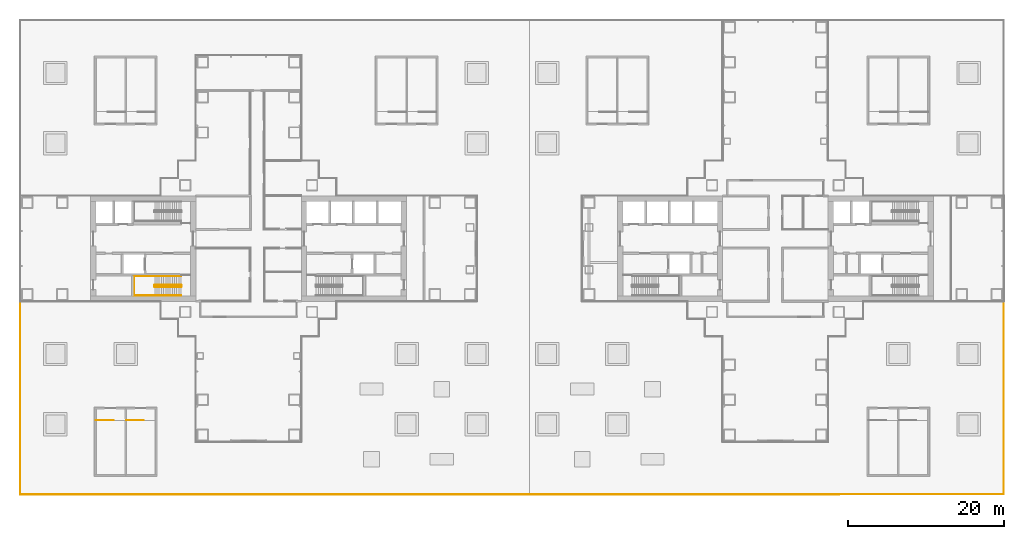
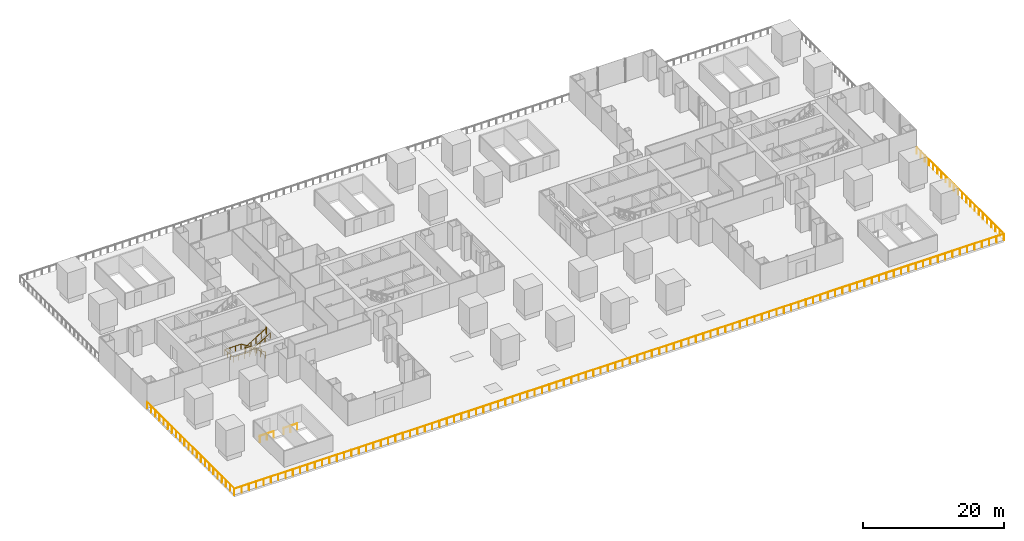
# One storey, part 20 of 23: 5 railings.
"""IFC4 building model written with IfcOpenShell, lengths in metres."""

from ifc_helpers import new_model, si_unit, direction, frame, origin, origin_2d, place, context, subcontext, project, spatial, circle, extrude, material, type_object, element, save


model = new_model("IFC4")

# Units and contexts
model_context = context("Model", 3, precision=1e-05, world=origin(), true_north=direction((0.0, 1.0)))
body_context = subcontext(model_context, "Body", "Model", "MODEL_VIEW")
ifc_project = project(units=[si_unit("LENGTHUNIT", "METRE"), si_unit("AREAUNIT", "SQUARE_METRE"), si_unit("VOLUMEUNIT", "CUBIC_METRE"), si_unit("PLANEANGLEUNIT", "RADIAN"), si_unit("MASSUNIT", "GRAM", prefix="KILO")], contexts=[model_context])

# Site, building, storey
site_placement = place(None, origin())
site = spatial("IfcSite", under=ifc_project, at=site_placement, CompositionType="ELEMENT")
building_placement = place(site_placement, origin())
building = spatial("IfcBuilding", under=site, at=building_placement, Name="Shamsa Quay Exchange Towers", CompositionType="ELEMENT")
storey_placement = place(building_placement, frame((0.0, 0.0, 28.5)))
storey = spatial("IfcBuildingStorey", under=building, at=storey_placement, Name="L05", CompositionType="ELEMENT", Elevation=28.5)

# Railings
ifc_material_1 = material(Name="Steel S355, black powder-coated", Category="steel")
railing_type_1 = type_object("IfcRailingType", Name="DECK GUARD 1100", PredefinedType="GUARDRAIL", material=ifc_material_1)
railing_1_placement = place(storey_placement, frame((-63.0, -6.77001953125, 0.0)))
element("IfcRailing", 1, at=railing_1_placement, inside=storey, type_object=railing_type_1, Name="Deck guard 1.2", PredefinedType="GUARDRAIL", context=body_context, shape_type="SweptSolid", body=[
    extrude(circle(Radius=0.02392578125, at=origin_2d()), frame((0.0, 0.0, 1.076171875), z_axis=(0.0, -1.0, 0.0), x_axis=(1.0, 0.0, 0.0)), (0.0, 0.0, 1.0), 24.72998046875),
    extrude(circle(Radius=0.02392578125, at=origin_2d()), frame((0.0, -24.72998046875, 1.076171875), z_axis=(1.0, 0.0, 0.0), x_axis=(0.0, 1.0, 0.0)), (0.0, 0.0, 1.0), 126.0),
    extrude(circle(Radius=0.02392578125, at=origin_2d()), frame((126.0, -24.72998046875, 1.076171875), z_axis=(0.0, 1.0, 0.0), x_axis=(-1.0, 0.0, 0.0)), (0.0, 0.0, 1.0), 24.72998046875),
    extrude(circle(Radius=0.02099609375, at=origin_2d()), origin(), (0.0, 0.0, 1.0), 1.052001953125),
    extrude(circle(Radius=0.02099609375, at=origin_2d()), frame((0.0, -1.177734375, 0.0)), (0.0, 0.0, 1.0), 1.052001953125),
    extrude(circle(Radius=0.02099609375, at=origin_2d()), frame((0.0, -2.355224609375, 0.0)), (0.0, 0.0, 1.0), 1.052001953125),
    extrude(circle(Radius=0.02099609375, at=origin_2d()), frame((0.0, -3.532958984375, 0.0)), (0.0, 0.0, 1.0), 1.052001953125),
    extrude(circle(Radius=0.02099609375, at=origin_2d()), frame((0.0, -4.71044921875, 0.0)), (0.0, 0.0, 1.0), 1.052001953125),
    extrude(circle(Radius=0.02099609375, at=origin_2d()), frame((0.0, -5.88818359375, 0.0)), (0.0, 0.0, 1.0), 1.052001953125),
    extrude(circle(Radius=0.02099609375, at=origin_2d()), frame((0.0, -7.065673828125, 0.0)), (0.0, 0.0, 1.0), 1.052001953125),
    extrude(circle(Radius=0.02099609375, at=origin_2d()), frame((0.0, -8.243408203125, 0.0)), (0.0, 0.0, 1.0), 1.052001953125),
    extrude(circle(Radius=0.02099609375, at=origin_2d()), frame((0.0, -9.4208984375, 0.0)), (0.0, 0.0, 1.0), 1.052001953125),
    extrude(circle(Radius=0.02099609375, at=origin_2d()), frame((0.0, -10.5986328125, 0.0)), (0.0, 0.0, 1.0), 1.052001953125),
    extrude(circle(Radius=0.02099609375, at=origin_2d()), frame((0.0, -11.776123046875, 0.0)), (0.0, 0.0, 1.0), 1.052001953125),
    extrude(circle(Radius=0.02099609375, at=origin_2d()), frame((0.0, -12.953857421875, 0.0)), (0.0, 0.0, 1.0), 1.052001953125),
    extrude(circle(Radius=0.02099609375, at=origin_2d()), frame((0.0, -14.13134765625, 0.0)), (0.0, 0.0, 1.0), 1.052001953125),
    extrude(circle(Radius=0.02099609375, at=origin_2d()), frame((0.0, -15.30908203125, 0.0)), (0.0, 0.0, 1.0), 1.052001953125),
    extrude(circle(Radius=0.02099609375, at=origin_2d()), frame((0.0, -16.486572265625, 0.0)), (0.0, 0.0, 1.0), 1.052001953125),
    extrude(circle(Radius=0.02099609375, at=origin_2d()), frame((0.0, -17.664306640625, 0.0)), (0.0, 0.0, 1.0), 1.052001953125),
    extrude(circle(Radius=0.02099609375, at=origin_2d()), frame((0.0, -18.841796875, 0.0)), (0.0, 0.0, 1.0), 1.052001953125),
    extrude(circle(Radius=0.02099609375, at=origin_2d()), frame((0.0, -20.01953125, 0.0)), (0.0, 0.0, 1.0), 1.052001953125),
    extrude(circle(Radius=0.02099609375, at=origin_2d()), frame((0.0, -21.197021484375, 0.0)), (0.0, 0.0, 1.0), 1.052001953125),
    extrude(circle(Radius=0.02099609375, at=origin_2d()), frame((0.0, -22.374755859375, 0.0)), (0.0, 0.0, 1.0), 1.052001953125),
    extrude(circle(Radius=0.02099609375, at=origin_2d()), frame((0.0, -23.55224609375, 0.0)), (0.0, 0.0, 1.0), 1.052001953125),
    extrude(circle(Radius=0.02099609375, at=origin_2d()), frame((0.0, -24.72998046875, 0.0)), (0.0, 0.0, 1.0), 1.052001953125),
    extrude(circle(Radius=0.02099609375, at=origin_2d()), frame((1.199951171875, -24.72998046875, 0.0)), (0.0, 0.0, 1.0), 1.052001953125),
    extrude(circle(Radius=0.02099609375, at=origin_2d()), frame((2.39990234375, -24.72998046875, 0.0)), (0.0, 0.0, 1.0), 1.052001953125),
    extrude(circle(Radius=0.02099609375, at=origin_2d()), frame((3.60009765625, -24.72998046875, 0.0)), (0.0, 0.0, 1.0), 1.052001953125),
    extrude(circle(Radius=0.02099609375, at=origin_2d()), frame((4.800048828125, -24.72998046875, 0.0)), (0.0, 0.0, 1.0), 1.052001953125),
    extrude(circle(Radius=0.02099609375, at=origin_2d()), frame((6.0, -24.72998046875, 0.0)), (0.0, 0.0, 1.0), 1.052001953125),
    extrude(circle(Radius=0.02099609375, at=origin_2d()), frame((7.199951171875, -24.72998046875, 0.0)), (0.0, 0.0, 1.0), 1.052001953125),
    extrude(circle(Radius=0.02099609375, at=origin_2d()), frame((8.39990234375, -24.72998046875, 0.0)), (0.0, 0.0, 1.0), 1.052001953125),
    extrude(circle(Radius=0.02099609375, at=origin_2d()), frame((9.60009765625, -24.72998046875, 0.0)), (0.0, 0.0, 1.0), 1.052001953125),
    extrude(circle(Radius=0.02099609375, at=origin_2d()), frame((10.800048828125, -24.72998046875, 0.0)), (0.0, 0.0, 1.0), 1.052001953125),
    extrude(circle(Radius=0.02099609375, at=origin_2d()), frame((12.0, -24.72998046875, 0.0)), (0.0, 0.0, 1.0), 1.052001953125),
    extrude(circle(Radius=0.02099609375, at=origin_2d()), frame((13.199951171875, -24.72998046875, 0.0)), (0.0, 0.0, 1.0), 1.052001953125),
    extrude(circle(Radius=0.02099609375, at=origin_2d()), frame((14.39990234375, -24.72998046875, 0.0)), (0.0, 0.0, 1.0), 1.052001953125),
    extrude(circle(Radius=0.02099609375, at=origin_2d()), frame((15.60009765625, -24.72998046875, 0.0)), (0.0, 0.0, 1.0), 1.052001953125),
    extrude(circle(Radius=0.02099609375, at=origin_2d()), frame((16.800048828125, -24.72998046875, 0.0)), (0.0, 0.0, 1.0), 1.052001953125),
    extrude(circle(Radius=0.02099609375, at=origin_2d()), frame((18.0, -24.72998046875, 0.0)), (0.0, 0.0, 1.0), 1.052001953125),
    extrude(circle(Radius=0.02099609375, at=origin_2d()), frame((19.199951171875, -24.72998046875, 0.0)), (0.0, 0.0, 1.0), 1.052001953125),
    extrude(circle(Radius=0.02099609375, at=origin_2d()), frame((20.39990234375, -24.72998046875, 0.0)), (0.0, 0.0, 1.0), 1.052001953125),
    extrude(circle(Radius=0.02099609375, at=origin_2d()), frame((21.60009765625, -24.72998046875, 0.0)), (0.0, 0.0, 1.0), 1.052001953125),
    extrude(circle(Radius=0.02099609375, at=origin_2d()), frame((22.800048828125, -24.72998046875, 0.0)), (0.0, 0.0, 1.0), 1.052001953125),
    extrude(circle(Radius=0.02099609375, at=origin_2d()), frame((24.0, -24.72998046875, 0.0)), (0.0, 0.0, 1.0), 1.052001953125),
    extrude(circle(Radius=0.02099609375, at=origin_2d()), frame((25.199951171875, -24.72998046875, 0.0)), (0.0, 0.0, 1.0), 1.052001953125),
    extrude(circle(Radius=0.02099609375, at=origin_2d()), frame((26.39990234375, -24.72998046875, 0.0)), (0.0, 0.0, 1.0), 1.052001953125),
    extrude(circle(Radius=0.02099609375, at=origin_2d()), frame((27.60009765625, -24.72998046875, 0.0)), (0.0, 0.0, 1.0), 1.052001953125),
    extrude(circle(Radius=0.02099609375, at=origin_2d()), frame((28.800048828125, -24.72998046875, 0.0)), (0.0, 0.0, 1.0), 1.052001953125),
    extrude(circle(Radius=0.02099609375, at=origin_2d()), frame((30.0, -24.72998046875, 0.0)), (0.0, 0.0, 1.0), 1.052001953125),
    extrude(circle(Radius=0.02099609375, at=origin_2d()), frame((31.199951171875, -24.72998046875, 0.0)), (0.0, 0.0, 1.0), 1.052001953125),
    extrude(circle(Radius=0.02099609375, at=origin_2d()), frame((32.39990234375, -24.72998046875, 0.0)), (0.0, 0.0, 1.0), 1.052001953125),
    extrude(circle(Radius=0.02099609375, at=origin_2d()), frame((33.60009765625, -24.72998046875, 0.0)), (0.0, 0.0, 1.0), 1.052001953125),
    extrude(circle(Radius=0.02099609375, at=origin_2d()), frame((34.800048828125, -24.72998046875, 0.0)), (0.0, 0.0, 1.0), 1.052001953125),
    extrude(circle(Radius=0.02099609375, at=origin_2d()), frame((36.0, -24.72998046875, 0.0)), (0.0, 0.0, 1.0), 1.052001953125),
    extrude(circle(Radius=0.02099609375, at=origin_2d()), frame((37.199951171875, -24.72998046875, 0.0)), (0.0, 0.0, 1.0), 1.052001953125),
    extrude(circle(Radius=0.02099609375, at=origin_2d()), frame((38.39990234375, -24.72998046875, 0.0)), (0.0, 0.0, 1.0), 1.052001953125),
    extrude(circle(Radius=0.02099609375, at=origin_2d()), frame((39.60009765625, -24.72998046875, 0.0)), (0.0, 0.0, 1.0), 1.052001953125),
    extrude(circle(Radius=0.02099609375, at=origin_2d()), frame((40.800048828125, -24.72998046875, 0.0)), (0.0, 0.0, 1.0), 1.052001953125),
    extrude(circle(Radius=0.02099609375, at=origin_2d()), frame((42.0, -24.72998046875, 0.0)), (0.0, 0.0, 1.0), 1.052001953125),
    extrude(circle(Radius=0.02099609375, at=origin_2d()), frame((43.199951171875, -24.72998046875, 0.0)), (0.0, 0.0, 1.0), 1.052001953125),
    extrude(circle(Radius=0.02099609375, at=origin_2d()), frame((44.39990234375, -24.72998046875, 0.0)), (0.0, 0.0, 1.0), 1.052001953125),
    extrude(circle(Radius=0.02099609375, at=origin_2d()), frame((45.60009765625, -24.72998046875, 0.0)), (0.0, 0.0, 1.0), 1.052001953125),
    extrude(circle(Radius=0.02099609375, at=origin_2d()), frame((46.800048828125, -24.72998046875, 0.0)), (0.0, 0.0, 1.0), 1.052001953125),
    extrude(circle(Radius=0.02099609375, at=origin_2d()), frame((48.0, -24.72998046875, 0.0)), (0.0, 0.0, 1.0), 1.052001953125),
    extrude(circle(Radius=0.02099609375, at=origin_2d()), frame((49.199951171875, -24.72998046875, 0.0)), (0.0, 0.0, 1.0), 1.052001953125),
    extrude(circle(Radius=0.02099609375, at=origin_2d()), frame((50.39990234375, -24.72998046875, 0.0)), (0.0, 0.0, 1.0), 1.052001953125),
    extrude(circle(Radius=0.02099609375, at=origin_2d()), frame((51.60009765625, -24.72998046875, 0.0)), (0.0, 0.0, 1.0), 1.052001953125),
    extrude(circle(Radius=0.02099609375, at=origin_2d()), frame((52.800048828125, -24.72998046875, 0.0)), (0.0, 0.0, 1.0), 1.052001953125),
    extrude(circle(Radius=0.02099609375, at=origin_2d()), frame((54.0, -24.72998046875, 0.0)), (0.0, 0.0, 1.0), 1.052001953125),
    extrude(circle(Radius=0.02099609375, at=origin_2d()), frame((55.199951171875, -24.72998046875, 0.0)), (0.0, 0.0, 1.0), 1.052001953125),
    extrude(circle(Radius=0.02099609375, at=origin_2d()), frame((56.39990234375, -24.72998046875, 0.0)), (0.0, 0.0, 1.0), 1.052001953125),
    extrude(circle(Radius=0.02099609375, at=origin_2d()), frame((57.60009765625, -24.72998046875, 0.0)), (0.0, 0.0, 1.0), 1.052001953125),
    extrude(circle(Radius=0.02099609375, at=origin_2d()), frame((58.800048828125, -24.72998046875, 0.0)), (0.0, 0.0, 1.0), 1.052001953125),
    extrude(circle(Radius=0.02099609375, at=origin_2d()), frame((60.0, -24.72998046875, 0.0)), (0.0, 0.0, 1.0), 1.052001953125),
    extrude(circle(Radius=0.02099609375, at=origin_2d()), frame((61.199951171875, -24.72998046875, 0.0)), (0.0, 0.0, 1.0), 1.052001953125),
    extrude(circle(Radius=0.02099609375, at=origin_2d()), frame((62.39990234375, -24.72998046875, 0.0)), (0.0, 0.0, 1.0), 1.052001953125),
    extrude(circle(Radius=0.02099609375, at=origin_2d()), frame((63.60009765625, -24.72998046875, 0.0)), (0.0, 0.0, 1.0), 1.052001953125),
    extrude(circle(Radius=0.02099609375, at=origin_2d()), frame((64.800048828125, -24.72998046875, 0.0)), (0.0, 0.0, 1.0), 1.052001953125),
    extrude(circle(Radius=0.02099609375, at=origin_2d()), frame((66.0, -24.72998046875, 0.0)), (0.0, 0.0, 1.0), 1.052001953125),
    extrude(circle(Radius=0.02099609375, at=origin_2d()), frame((67.199951171875, -24.72998046875, 0.0)), (0.0, 0.0, 1.0), 1.052001953125),
    extrude(circle(Radius=0.02099609375, at=origin_2d()), frame((68.39990234375, -24.72998046875, 0.0)), (0.0, 0.0, 1.0), 1.052001953125),
    extrude(circle(Radius=0.02099609375, at=origin_2d()), frame((69.60009765625, -24.72998046875, 0.0)), (0.0, 0.0, 1.0), 1.052001953125),
    extrude(circle(Radius=0.02099609375, at=origin_2d()), frame((70.800048828125, -24.72998046875, 0.0)), (0.0, 0.0, 1.0), 1.052001953125),
    extrude(circle(Radius=0.02099609375, at=origin_2d()), frame((72.0, -24.72998046875, 0.0)), (0.0, 0.0, 1.0), 1.052001953125),
    extrude(circle(Radius=0.02099609375, at=origin_2d()), frame((73.199951171875, -24.72998046875, 0.0)), (0.0, 0.0, 1.0), 1.052001953125),
    extrude(circle(Radius=0.02099609375, at=origin_2d()), frame((74.39990234375, -24.72998046875, 0.0)), (0.0, 0.0, 1.0), 1.052001953125),
    extrude(circle(Radius=0.02099609375, at=origin_2d()), frame((75.60009765625, -24.72998046875, 0.0)), (0.0, 0.0, 1.0), 1.052001953125),
    extrude(circle(Radius=0.02099609375, at=origin_2d()), frame((76.800048828125, -24.72998046875, 0.0)), (0.0, 0.0, 1.0), 1.052001953125),
    extrude(circle(Radius=0.02099609375, at=origin_2d()), frame((78.0, -24.72998046875, 0.0)), (0.0, 0.0, 1.0), 1.052001953125),
    extrude(circle(Radius=0.02099609375, at=origin_2d()), frame((79.199951171875, -24.72998046875, 0.0)), (0.0, 0.0, 1.0), 1.052001953125),
    extrude(circle(Radius=0.02099609375, at=origin_2d()), frame((80.39990234375, -24.72998046875, 0.0)), (0.0, 0.0, 1.0), 1.052001953125),
    extrude(circle(Radius=0.02099609375, at=origin_2d()), frame((81.60009765625, -24.72998046875, 0.0)), (0.0, 0.0, 1.0), 1.052001953125),
    extrude(circle(Radius=0.02099609375, at=origin_2d()), frame((82.800048828125, -24.72998046875, 0.0)), (0.0, 0.0, 1.0), 1.052001953125),
    extrude(circle(Radius=0.02099609375, at=origin_2d()), frame((84.0, -24.72998046875, 0.0)), (0.0, 0.0, 1.0), 1.052001953125),
    extrude(circle(Radius=0.02099609375, at=origin_2d()), frame((85.199951171875, -24.72998046875, 0.0)), (0.0, 0.0, 1.0), 1.052001953125),
    extrude(circle(Radius=0.02099609375, at=origin_2d()), frame((86.39990234375, -24.72998046875, 0.0)), (0.0, 0.0, 1.0), 1.052001953125),
    extrude(circle(Radius=0.02099609375, at=origin_2d()), frame((87.60009765625, -24.72998046875, 0.0)), (0.0, 0.0, 1.0), 1.052001953125),
    extrude(circle(Radius=0.02099609375, at=origin_2d()), frame((88.800048828125, -24.72998046875, 0.0)), (0.0, 0.0, 1.0), 1.052001953125),
    extrude(circle(Radius=0.02099609375, at=origin_2d()), frame((90.0, -24.72998046875, 0.0)), (0.0, 0.0, 1.0), 1.052001953125),
    extrude(circle(Radius=0.02099609375, at=origin_2d()), frame((91.199951171875, -24.72998046875, 0.0)), (0.0, 0.0, 1.0), 1.052001953125),
    extrude(circle(Radius=0.02099609375, at=origin_2d()), frame((92.39990234375, -24.72998046875, 0.0)), (0.0, 0.0, 1.0), 1.052001953125),
    extrude(circle(Radius=0.02099609375, at=origin_2d()), frame((93.60009765625, -24.72998046875, 0.0)), (0.0, 0.0, 1.0), 1.052001953125),
    extrude(circle(Radius=0.02099609375, at=origin_2d()), frame((94.800048828125, -24.72998046875, 0.0)), (0.0, 0.0, 1.0), 1.052001953125),
    extrude(circle(Radius=0.02099609375, at=origin_2d()), frame((96.0, -24.72998046875, 0.0)), (0.0, 0.0, 1.0), 1.052001953125),
    extrude(circle(Radius=0.02099609375, at=origin_2d()), frame((97.199951171875, -24.72998046875, 0.0)), (0.0, 0.0, 1.0), 1.052001953125),
    extrude(circle(Radius=0.02099609375, at=origin_2d()), frame((98.39990234375, -24.72998046875, 0.0)), (0.0, 0.0, 1.0), 1.052001953125),
    extrude(circle(Radius=0.02099609375, at=origin_2d()), frame((99.60009765625, -24.72998046875, 0.0)), (0.0, 0.0, 1.0), 1.052001953125),
    extrude(circle(Radius=0.02099609375, at=origin_2d()), frame((100.800048828125, -24.72998046875, 0.0)), (0.0, 0.0, 1.0), 1.052001953125),
    extrude(circle(Radius=0.02099609375, at=origin_2d()), frame((102.0, -24.72998046875, 0.0)), (0.0, 0.0, 1.0), 1.052001953125),
    extrude(circle(Radius=0.02099609375, at=origin_2d()), frame((103.199951171875, -24.72998046875, 0.0)), (0.0, 0.0, 1.0), 1.052001953125),
    extrude(circle(Radius=0.02099609375, at=origin_2d()), frame((104.39990234375, -24.72998046875, 0.0)), (0.0, 0.0, 1.0), 1.052001953125),
    extrude(circle(Radius=0.02099609375, at=origin_2d()), frame((105.60009765625, -24.72998046875, 0.0)), (0.0, 0.0, 1.0), 1.052001953125),
    extrude(circle(Radius=0.02099609375, at=origin_2d()), frame((106.800048828125, -24.72998046875, 0.0)), (0.0, 0.0, 1.0), 1.052001953125),
    extrude(circle(Radius=0.02099609375, at=origin_2d()), frame((108.0, -24.72998046875, 0.0)), (0.0, 0.0, 1.0), 1.052001953125),
    extrude(circle(Radius=0.02099609375, at=origin_2d()), frame((109.199951171875, -24.72998046875, 0.0)), (0.0, 0.0, 1.0), 1.052001953125),
    extrude(circle(Radius=0.02099609375, at=origin_2d()), frame((110.39990234375, -24.72998046875, 0.0)), (0.0, 0.0, 1.0), 1.052001953125),
    extrude(circle(Radius=0.02099609375, at=origin_2d()), frame((111.60009765625, -24.72998046875, 0.0)), (0.0, 0.0, 1.0), 1.052001953125),
    extrude(circle(Radius=0.02099609375, at=origin_2d()), frame((112.800048828125, -24.72998046875, 0.0)), (0.0, 0.0, 1.0), 1.052001953125),
    extrude(circle(Radius=0.02099609375, at=origin_2d()), frame((114.0, -24.72998046875, 0.0)), (0.0, 0.0, 1.0), 1.052001953125),
    extrude(circle(Radius=0.02099609375, at=origin_2d()), frame((115.199951171875, -24.72998046875, 0.0)), (0.0, 0.0, 1.0), 1.052001953125),
    extrude(circle(Radius=0.02099609375, at=origin_2d()), frame((116.39990234375, -24.72998046875, 0.0)), (0.0, 0.0, 1.0), 1.052001953125),
    extrude(circle(Radius=0.02099609375, at=origin_2d()), frame((117.60009765625, -24.72998046875, 0.0)), (0.0, 0.0, 1.0), 1.052001953125),
    extrude(circle(Radius=0.02099609375, at=origin_2d()), frame((118.800048828125, -24.72998046875, 0.0)), (0.0, 0.0, 1.0), 1.052001953125),
    extrude(circle(Radius=0.02099609375, at=origin_2d()), frame((120.0, -24.72998046875, 0.0)), (0.0, 0.0, 1.0), 1.052001953125),
    extrude(circle(Radius=0.02099609375, at=origin_2d()), frame((121.199951171875, -24.72998046875, 0.0)), (0.0, 0.0, 1.0), 1.052001953125),
    extrude(circle(Radius=0.02099609375, at=origin_2d()), frame((122.39990234375, -24.72998046875, 0.0)), (0.0, 0.0, 1.0), 1.052001953125),
    extrude(circle(Radius=0.02099609375, at=origin_2d()), frame((123.60009765625, -24.72998046875, 0.0)), (0.0, 0.0, 1.0), 1.052001953125),
    extrude(circle(Radius=0.02099609375, at=origin_2d()), frame((124.800048828125, -24.72998046875, 0.0)), (0.0, 0.0, 1.0), 1.052001953125),
    extrude(circle(Radius=0.02099609375, at=origin_2d()), frame((126.0, -24.72998046875, 0.0)), (0.0, 0.0, 1.0), 1.052001953125),
    extrude(circle(Radius=0.02099609375, at=origin_2d()), frame((126.0, -23.55224609375, 0.0)), (0.0, 0.0, 1.0), 1.052001953125),
    extrude(circle(Radius=0.02099609375, at=origin_2d()), frame((126.0, -22.374755859375, 0.0)), (0.0, 0.0, 1.0), 1.052001953125),
    extrude(circle(Radius=0.02099609375, at=origin_2d()), frame((126.0, -21.197021484375, 0.0)), (0.0, 0.0, 1.0), 1.052001953125),
    extrude(circle(Radius=0.02099609375, at=origin_2d()), frame((126.0, -20.01953125, 0.0)), (0.0, 0.0, 1.0), 1.052001953125),
    extrude(circle(Radius=0.02099609375, at=origin_2d()), frame((126.0, -18.841796875, 0.0)), (0.0, 0.0, 1.0), 1.052001953125),
    extrude(circle(Radius=0.02099609375, at=origin_2d()), frame((126.0, -17.664306640625, 0.0)), (0.0, 0.0, 1.0), 1.052001953125),
    extrude(circle(Radius=0.02099609375, at=origin_2d()), frame((126.0, -16.486572265625, 0.0)), (0.0, 0.0, 1.0), 1.052001953125),
    extrude(circle(Radius=0.02099609375, at=origin_2d()), frame((126.0, -15.30908203125, 0.0)), (0.0, 0.0, 1.0), 1.052001953125),
    extrude(circle(Radius=0.02099609375, at=origin_2d()), frame((126.0, -14.13134765625, 0.0)), (0.0, 0.0, 1.0), 1.052001953125),
    extrude(circle(Radius=0.02099609375, at=origin_2d()), frame((126.0, -12.953857421875, 0.0)), (0.0, 0.0, 1.0), 1.052001953125),
    extrude(circle(Radius=0.02099609375, at=origin_2d()), frame((126.0, -11.776123046875, 0.0)), (0.0, 0.0, 1.0), 1.052001953125),
    extrude(circle(Radius=0.02099609375, at=origin_2d()), frame((126.0, -10.5986328125, 0.0)), (0.0, 0.0, 1.0), 1.052001953125),
    extrude(circle(Radius=0.02099609375, at=origin_2d()), frame((126.0, -9.4208984375, 0.0)), (0.0, 0.0, 1.0), 1.052001953125),
    extrude(circle(Radius=0.02099609375, at=origin_2d()), frame((126.0, -8.243408203125, 0.0)), (0.0, 0.0, 1.0), 1.052001953125),
    extrude(circle(Radius=0.02099609375, at=origin_2d()), frame((126.0, -7.065673828125, 0.0)), (0.0, 0.0, 1.0), 1.052001953125),
    extrude(circle(Radius=0.02099609375, at=origin_2d()), frame((126.0, -5.88818359375, 0.0)), (0.0, 0.0, 1.0), 1.052001953125),
    extrude(circle(Radius=0.02099609375, at=origin_2d()), frame((126.0, -4.71044921875, 0.0)), (0.0, 0.0, 1.0), 1.052001953125),
    extrude(circle(Radius=0.02099609375, at=origin_2d()), frame((126.0, -3.532958984375, 0.0)), (0.0, 0.0, 1.0), 1.052001953125),
    extrude(circle(Radius=0.02099609375, at=origin_2d()), frame((126.0, -2.355224609375, 0.0)), (0.0, 0.0, 1.0), 1.052001953125),
    extrude(circle(Radius=0.02099609375, at=origin_2d()), frame((126.0, -1.177734375, 0.0)), (0.0, 0.0, 1.0), 1.052001953125),
    extrude(circle(Radius=0.02099609375, at=origin_2d()), frame((126.0, 0.0, 0.0)), (0.0, 0.0, 1.0), 1.052001953125),
])
ifc_material_2 = material(Name="Stainless steel", Category="steel")
railing_type_2 = type_object("IfcRailingType", Name="STAIR GUARD 1100", PredefinedType="GUARDRAIL", material=ifc_material_2)
railing_2_placement = place(storey_placement, frame((-42.39990234375, -4.64990234375, 0.173095703125)))
element("IfcRailing", 2, at=railing_2_placement, inside=storey, type_object=railing_type_2, Name="L05 ST2 stair guard 1", PredefinedType="GUARDRAIL", context=body_context, shape_type="SweptSolid", body=[
    extrude(circle(Radius=0.02392578125, at=origin_2d()), frame((0.0, 0.0, 1.076171875), z_axis=(-0.850623216509, 0.0, 0.525775754039), x_axis=(0.0, -1.0, 0.0)), (0.0, 0.0, 1.0), 3.9501953125),
    extrude(circle(Radius=0.02392578125, at=origin_2d()), frame((-3.360107421875, 0.0, 3.15283203125), z_axis=(-0.707106781187, -0.707106781187, 0.0), x_axis=(0.707106781187, -0.707106781187, 0.0)), (0.0, 0.0, 1.0), 0.07080078125),
    extrude(circle(Radius=0.02392578125, at=origin_2d()), frame((-3.41015625, -0.050048828125, 3.15283203125), z_axis=(0.0, -1.0, 0.0), x_axis=(1.0, 0.0, 0.0)), (0.0, 0.0, 1.0), 0.150146484375),
    extrude(circle(Radius=0.02392578125, at=origin_2d()), frame((-3.41015625, -0.2001953125, 3.15283203125), z_axis=(0.267723051232, -0.266417085129, 0.925929967433), x_axis=(0.705375805398, 0.708833529934, 0.0)), (0.0, 0.0, 1.0), 0.18701171875),
    extrude(circle(Radius=0.02392578125, at=origin_2d()), frame((-3.360107421875, -0.25, 3.326171875), z_axis=(0.850623216509, 0.0, 0.525775754039), x_axis=(0.0, 1.0, 0.0)), (0.0, 0.0, 1.0), 3.9501953125),
    extrude(circle(Radius=0.02392578125, at=origin_2d()), frame((0.0, -0.25, 5.40283203125), z_axis=(0.241699205484, 0.970351222016, 0.0), x_axis=(-0.970351222016, 0.241699205484, 0.0)), (0.0, 0.0, 1.0), 0.2060546875),
    extrude(circle(Radius=0.02392578125, at=origin_2d()), frame((0.0498046875, -0.050048828125, 5.40283203125), z_axis=(0.0, -1.0, 0.0), x_axis=(1.0, 0.0, 0.0)), (0.0, 0.0, 1.0), 0.150146484375),
    extrude(circle(Radius=0.02099609375, at=origin_2d()), origin(), (0.0, 0.0, 1.0), 1.052001953125),
    extrude(circle(Radius=0.02099609375, at=origin_2d()), frame((-0.840087890625, 0.0, 0.519287109375)), (0.0, 0.0, 1.0), 1.052001953125),
    extrude(circle(Radius=0.02099609375, at=origin_2d()), frame((-1.68017578125, 0.0, 1.03857421875)), (0.0, 0.0, 1.0), 1.052001953125),
    extrude(circle(Radius=0.02099609375, at=origin_2d()), frame((-2.52001953125, 0.0, 1.5576171875)), (0.0, 0.0, 1.0), 1.052001953125),
    extrude(circle(Radius=0.02099609375, at=origin_2d()), frame((-3.360107421875, 0.0, 2.076904296875)), (0.0, 0.0, 1.0), 1.052001953125),
    extrude(circle(Radius=0.02099609375, at=origin_2d()), frame((-3.41015625, -0.050048828125, 2.076904296875)), (0.0, 0.0, 1.0), 1.052001953125),
    extrude(circle(Radius=0.02099609375, at=origin_2d()), frame((-3.41015625, -0.2001953125, 2.076904296875)), (0.0, 0.0, 1.0), 1.052001953125),
    extrude(circle(Radius=0.02099609375, at=origin_2d()), frame((-3.360107421875, -0.25, 2.25)), (0.0, 0.0, 1.0), 1.052001953125),
    extrude(circle(Radius=0.02099609375, at=origin_2d()), frame((-2.52001953125, -0.25, 2.769287109375)), (0.0, 0.0, 1.0), 1.052001953125),
    extrude(circle(Radius=0.02099609375, at=origin_2d()), frame((-1.68017578125, -0.25, 3.28857421875)), (0.0, 0.0, 1.0), 1.052001953125),
    extrude(circle(Radius=0.02099609375, at=origin_2d()), frame((-0.840087890625, -0.25, 3.8076171875)), (0.0, 0.0, 1.0), 1.052001953125),
    extrude(circle(Radius=0.02099609375, at=origin_2d()), frame((0.0, -0.25, 4.326904296875)), (0.0, 0.0, 1.0), 1.052001953125),
    extrude(circle(Radius=0.02099609375, at=origin_2d()), frame((0.0498046875, -0.050048828125, 4.326904296875)), (0.0, 0.0, 1.0), 1.052001953125),
    extrude(circle(Radius=0.02099609375, at=origin_2d()), frame((0.0498046875, -0.2001953125, 4.326904296875)), (0.0, 0.0, 1.0), 1.052001953125),
])
for number, where, name in (
    (3, (-53.300048828125, -22.0, 0.0), "L05 PS5A top well guard 1"),
    (4, (-49.425048828125, -22.0, 0.0), "L05 PS5B top well guard 1"),
):
    element("IfcRailing", number, at=place(storey_placement, frame(where)), inside=storey, type_object=railing_type_2, Name=name, PredefinedType="GUARDRAIL", context=body_context, shape_type="SweptSolid", body=[
        extrude(circle(Radius=0.02392578125, at=origin_2d()), frame((0.0, 0.0, 1.076171875), z_axis=(1.0, 0.0, 0.0), x_axis=(0.0, 1.0, 0.0)), (0.0, 0.0, 1.0), 2.22509765625),
        extrude(circle(Radius=0.02099609375, at=origin_2d()), origin(), (0.0, 0.0, 1.0), 1.052001953125),
        extrude(circle(Radius=0.02099609375, at=origin_2d()), frame((1.112548828125, 0.0, 0.0)), (0.0, 0.0, 1.0), 1.052001953125),
        extrude(circle(Radius=0.02099609375, at=origin_2d()), frame((2.22509765625, 0.0, 0.0)), (0.0, 0.0, 1.0), 1.052001953125),
    ])
railing_type_3 = type_object("IfcRailingType", Name="STAIR HANDRAIL 900", PredefinedType="HANDRAIL", material=ifc_material_2)
railing_3_placement = place(storey_placement, frame((-42.39990234375, -3.550048828125, 0.173095703125)))
element("IfcRailing", 5, at=railing_3_placement, inside=storey, type_object=railing_type_3, Name="L05 ST2 stair handrail 1", PredefinedType="HANDRAIL", context=body_context, shape_type="SweptSolid", body=[
    extrude(circle(Radius=0.02392578125, at=origin_2d()), frame((0.0, 0.0, 0.8759765625), z_axis=(-0.850623216509, 0.0, 0.525775754039), x_axis=(0.0, -1.0, 0.0)), (0.0, 0.0, 1.0), 3.9501953125),
    extrude(circle(Radius=0.02392578125, at=origin_2d()), frame((-3.360107421875, 0.0, 2.95263671875), z_axis=(-1.0, 0.0, 0.0), x_axis=(0.0, -1.0, 0.0)), (0.0, 0.0, 1.0), 2.68994140625),
    extrude(circle(Radius=0.02392578125, at=origin_2d()), frame((-6.050048828125, 0.0, 2.95263671875), z_axis=(0.0, -0.997513402493, 0.07047703063), x_axis=(1.0, 0.0, 0.0)), (0.0, 0.0, 1.0), 2.4560546875),
    extrude(circle(Radius=0.02392578125, at=origin_2d()), frame((-6.050048828125, -2.449951171875, 3.1259765625), z_axis=(1.0, 0.0, 0.0), x_axis=(0.0, 1.0, 0.0)), (0.0, 0.0, 1.0), 2.68994140625),
    extrude(circle(Radius=0.02392578125, at=origin_2d()), frame((-3.360107421875, -2.449951171875, 3.1259765625), z_axis=(0.850623216509, 0.0, 0.525775754039), x_axis=(0.0, 1.0, 0.0)), (0.0, 0.0, 1.0), 3.9501953125),
    extrude(circle(Radius=0.02099609375, at=origin_2d()), origin(), (0.0, 0.0, 1.0), 0.851806640625),
    extrude(circle(Radius=0.02099609375, at=origin_2d()), frame((-0.840087890625, 0.0, 0.519287109375)), (0.0, 0.0, 1.0), 0.851806640625),
    extrude(circle(Radius=0.02099609375, at=origin_2d()), frame((-1.68017578125, 0.0, 1.03857421875)), (0.0, 0.0, 1.0), 0.851806640625),
    extrude(circle(Radius=0.02099609375, at=origin_2d()), frame((-2.52001953125, 0.0, 1.5576171875)), (0.0, 0.0, 1.0), 0.851806640625),
    extrude(circle(Radius=0.02099609375, at=origin_2d()), frame((-3.360107421875, 0.0, 2.076904296875)), (0.0, 0.0, 1.0), 0.851806640625),
    extrude(circle(Radius=0.02099609375, at=origin_2d()), frame((-4.2568359375, 0.0, 2.076904296875)), (0.0, 0.0, 1.0), 0.851806640625),
    extrude(circle(Radius=0.02099609375, at=origin_2d()), frame((-5.1533203125, 0.0, 2.076904296875)), (0.0, 0.0, 1.0), 0.851806640625),
    extrude(circle(Radius=0.02099609375, at=origin_2d()), frame((-6.050048828125, 0.0, 2.076904296875)), (0.0, 0.0, 1.0), 0.851806640625),
    extrude(circle(Radius=0.02099609375, at=origin_2d()), frame((-6.050048828125, -0.816650390625, 2.134521484375)), (0.0, 0.0, 1.0), 0.851806640625),
    extrude(circle(Radius=0.02099609375, at=origin_2d()), frame((-6.050048828125, -1.63330078125, 2.1923828125)), (0.0, 0.0, 1.0), 0.851806640625),
    extrude(circle(Radius=0.02099609375, at=origin_2d()), frame((-6.050048828125, -2.449951171875, 2.25)), (0.0, 0.0, 1.0), 0.851806640625),
    extrude(circle(Radius=0.02099609375, at=origin_2d()), frame((-5.1533203125, -2.449951171875, 2.25)), (0.0, 0.0, 1.0), 0.851806640625),
    extrude(circle(Radius=0.02099609375, at=origin_2d()), frame((-4.2568359375, -2.449951171875, 2.25)), (0.0, 0.0, 1.0), 0.851806640625),
    extrude(circle(Radius=0.02099609375, at=origin_2d()), frame((-3.360107421875, -2.449951171875, 2.25)), (0.0, 0.0, 1.0), 0.851806640625),
    extrude(circle(Radius=0.02099609375, at=origin_2d()), frame((-2.52001953125, -2.449951171875, 2.769287109375)), (0.0, 0.0, 1.0), 0.851806640625),
    extrude(circle(Radius=0.02099609375, at=origin_2d()), frame((-1.68017578125, -2.449951171875, 3.28857421875)), (0.0, 0.0, 1.0), 0.851806640625),
    extrude(circle(Radius=0.02099609375, at=origin_2d()), frame((-0.840087890625, -2.449951171875, 3.8076171875)), (0.0, 0.0, 1.0), 0.851806640625),
    extrude(circle(Radius=0.02099609375, at=origin_2d()), frame((0.0, -2.449951171875, 4.326904296875)), (0.0, 0.0, 1.0), 0.851806640625),
])

save(model, "model.ifc")
